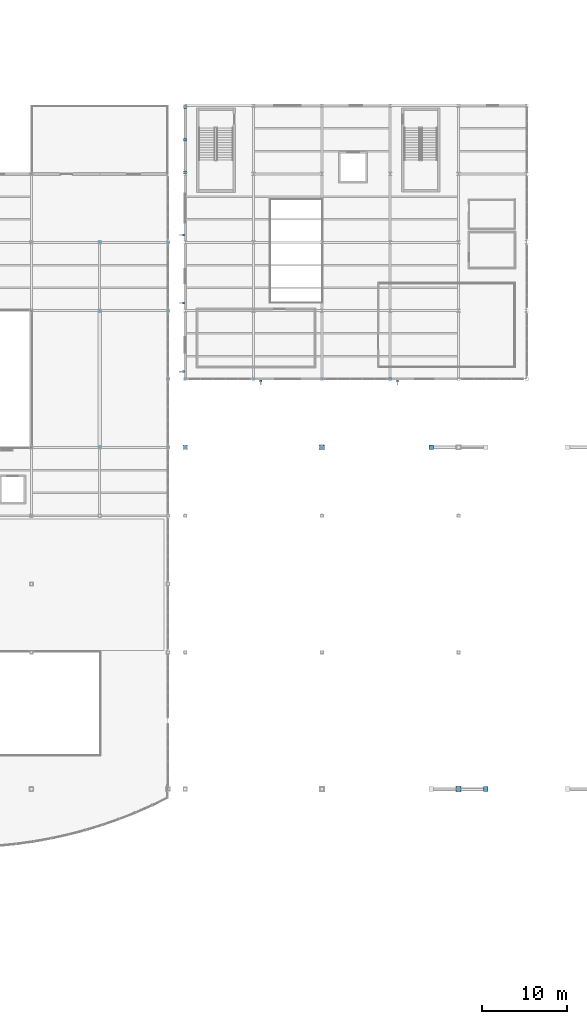
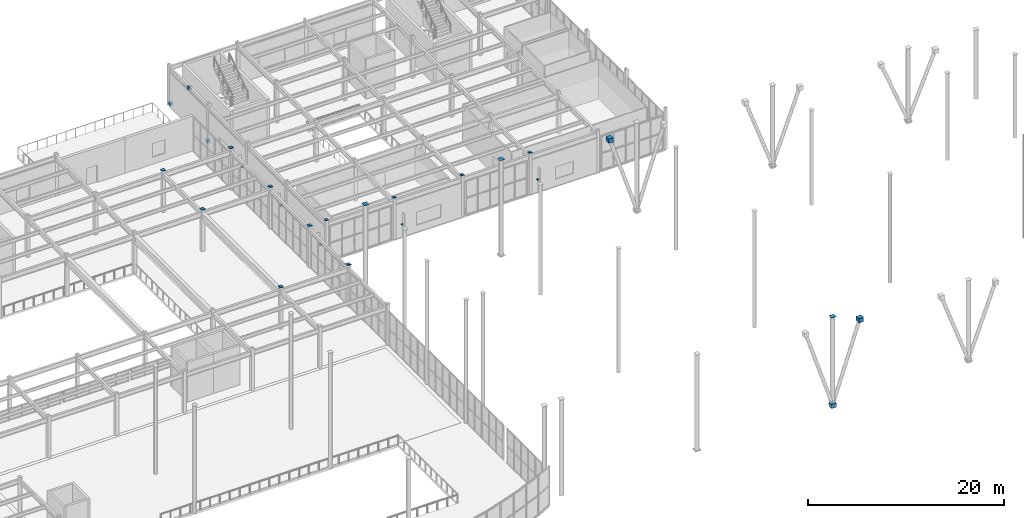
# One storey, part 65 of 77: 25 discrete accessories.
"""IFC4 building model written with IfcOpenShell, lengths in metres."""

from ifc_helpers import new_model, si_unit, direction, frame, origin, origin_2d, place, context, subcontext, project, spatial, rectangle, extrude, material, type_object, element, save


model = new_model("IFC4")

# Units and contexts
model_context = context("Model", 3, precision=1e-05, world=origin(), true_north=direction((0.0, 1.0)))
body_context = subcontext(model_context, "Body", "Model", "MODEL_VIEW")
ifc_project = project(units=[si_unit("LENGTHUNIT", "METRE"), si_unit("AREAUNIT", "SQUARE_METRE"), si_unit("VOLUMEUNIT", "CUBIC_METRE"), si_unit("PLANEANGLEUNIT", "RADIAN"), si_unit("MASSUNIT", "GRAM", prefix="KILO")], contexts=[model_context])

# Site, building, storey
site_placement = place(None, origin())
site = spatial("IfcSite", under=ifc_project, at=site_placement, CompositionType="ELEMENT")
building_placement = place(site_placement, origin())
building = spatial("IfcBuilding", under=site, at=building_placement, Name="Drelvath Fold Interchange", CompositionType="ELEMENT")
storey_placement = place(building_placement, frame((0.0, 0.0, 6.0)))
storey = spatial("IfcBuildingStorey", under=building, at=storey_placement, Name="L01", CompositionType="ELEMENT", Elevation=6.0)

# Discrete accessories
ifc_material_1 = material(Name="Stainless Steel 316L", Category="steel")
discrete_accessory_type_1 = type_object("IfcDiscreteAccessoryType", Name="AC-BRK220", PredefinedType="BRACKET", material=ifc_material_1)
for number, where, z_axis, x_axis, name in (
    (1, (110.847900390625, 74.781982421875, 1.56982421875), (0.0, 0.0, 1.0), (0.0, 1.0, 0.0), "Solar fin bracket 10"),
    (2, (126.847900390625, 74.781982421875, 1.56982421875), (0.0, 0.0, 1.0), (0.0, 1.0, 0.0), "Solar fin bracket 11"),
    (3, (101.781982421875, 75.847900390625, 1.56982421875), (0.0, 0.0, 1.0), (1.0, 0.0, 0.0), "Solar fin bracket 12"),
    (4, (101.781982421875, 83.8740234375, 1.56982421875), (0.0, 0.0, 1.0), (1.0, 0.0, 0.0), "Solar fin bracket 13"),
    (5, (101.781982421875, 91.8740234375, 1.56982421875), (0.0, 0.0, 1.0), (1.0, 0.0, 0.0), "Solar fin bracket 14"),
):
    element("IfcDiscreteAccessory", number, at=place(storey_placement, frame(where, z_axis=z_axis, x_axis=x_axis)), inside=storey, type_object=discrete_accessory_type_1, Name=name, PredefinedType="BRACKET", context=body_context, shape_type="SweptSolid", body=[
        extrude(rectangle(XDim=0.239990234375, YDim=0.239990234375, at=origin_2d()), origin(), (0.0, 0.0, 1.0), 0.159912109375),
    ])
ifc_material_2 = material(Name="Steel ASTM A572 Grade 50", Category="steel")
discrete_accessory_type_2 = type_object("IfcDiscreteAccessoryType", Name="AC-CAP380", PredefinedType="BRACKET", material=ifc_material_2)
for number, where, z_axis, x_axis, name in (
    (6, (92.0, 67.0, 5.18994140625), (0.0, 0.0, 1.0), (1.0, 0.0, 0.0), "Welded hollow column end cap 24"),
    (7, (92.0, 83.0, 5.18994140625), (0.0, 0.0, 1.0), (1.0, 0.0, 0.0), "Welded hollow column end cap 25"),
    (8, (92.0, 91.0, 5.18994140625), (0.0, 0.0, 1.0), (1.0, 0.0, 0.0), "Welded hollow column end cap 26"),
    (9, (100.0, 67.0, 5.18994140625), (0.0, 0.0, 1.0), (1.0, 0.0, 0.0), "Welded hollow column end cap 31"),
    (10, (100.0, 75.0, 5.18994140625), (0.0, 0.0, 1.0), (1.0, 0.0, 0.0), "Welded hollow column end cap 32"),
    (11, (100.0, 83.0, 5.18994140625), (0.0, 0.0, 1.0), (1.0, 0.0, 0.0), "Welded hollow column end cap 33"),
    (12, (100.0, 91.0, 5.18994140625), (0.0, 0.0, 1.0), (1.0, 0.0, 0.0), "Welded hollow column end cap 34"),
):
    element("IfcDiscreteAccessory", number, at=place(storey_placement, frame(where, z_axis=z_axis, x_axis=x_axis)), inside=storey, type_object=discrete_accessory_type_2, Name=name, PredefinedType="BRACKET", context=body_context, shape_type="SweptSolid", body=[
        extrude(rectangle(XDim=0.39599609375, YDim=0.39599609375, at=origin_2d()), origin(), (0.0, 0.0, 1.0), 0.030029296875),
    ])
discrete_accessory_1_placement = place(storey_placement, frame((102.0, 67.0, 11.9990234375), z_axis=(0.0, 0.0, 1.0), x_axis=(1.0, 0.0, 0.0)))
element("IfcDiscreteAccessory", 13, at=discrete_accessory_1_placement, inside=storey, type_object=discrete_accessory_type_2, Name="Welded hollow column end cap 95", PredefinedType="BRACKET", context=body_context, shape_type="SweptSolid", body=[
    extrude(rectangle(XDim=0.548095703125, YDim=0.548095703125, at=origin_2d()), origin(), (0.0, 0.0, 1.0), 0.030029296875),
])
for number, where, z_axis, x_axis, name in (
    (14, (102.0, 75.0, 5.18994140625), (0.0, 0.0, 1.0), (1.0, 0.0, 0.0), "Welded hollow column end cap 96"),
    (15, (110.0, 75.0, 5.18994140625), (0.0, 0.0, 1.0), (1.0, 0.0, 0.0), "Welded hollow column end cap 97"),
):
    element("IfcDiscreteAccessory", number, at=place(storey_placement, frame(where, z_axis=z_axis, x_axis=x_axis)), inside=storey, type_object=discrete_accessory_type_2, Name=name, PredefinedType="BRACKET", context=body_context, shape_type="SweptSolid", body=[
        extrude(rectangle(XDim=0.344970703125, YDim=0.344970703125, at=origin_2d()), origin(), (0.0, 0.0, 1.0), 0.030029296875),
    ])
discrete_accessory_2_placement = place(storey_placement, frame((118.0, 67.0, 11.9990234375), z_axis=(0.0, 0.0, 1.0), x_axis=(1.0, 0.0, 0.0)))
element("IfcDiscreteAccessory", 16, at=discrete_accessory_2_placement, inside=storey, type_object=discrete_accessory_type_2, Name="Welded hollow column end cap 101", PredefinedType="BRACKET", context=body_context, shape_type="SweptSolid", body=[
    extrude(rectangle(XDim=0.548095703125, YDim=0.548095703125, at=origin_2d()), origin(), (0.0, 0.0, 1.0), 0.030029296875),
])
for number, where, z_axis, x_axis, name in (
    (17, (118.0, 75.0, 5.18994140625), (0.0, 0.0, 1.0), (1.0, 0.0, 0.0), "Welded hollow column end cap 102"),
    (18, (126.0, 75.0, 5.18994140625), (0.0, 0.0, 1.0), (1.0, 0.0, 0.0), "Welded hollow column end cap 103"),
):
    element("IfcDiscreteAccessory", number, at=place(storey_placement, frame(where, z_axis=z_axis, x_axis=x_axis)), inside=storey, type_object=discrete_accessory_type_2, Name=name, PredefinedType="BRACKET", context=body_context, shape_type="SweptSolid", body=[
        extrude(rectangle(XDim=0.344970703125, YDim=0.344970703125, at=origin_2d()), origin(), (0.0, 0.0, 1.0), 0.030029296875),
    ])
discrete_accessory_3_placement = place(storey_placement, frame((134.0, 27.0, 11.037109375), z_axis=(0.0, 0.0, 1.0), x_axis=(1.0, 0.0, 0.0)))
element("IfcDiscreteAccessory", 19, at=discrete_accessory_3_placement, inside=storey, type_object=discrete_accessory_type_2, Name="Welded hollow column end cap 104", PredefinedType="BRACKET", context=body_context, shape_type="SweptSolid", body=[
    extrude(rectangle(XDim=0.548095703125, YDim=0.548095703125, at=origin_2d()), origin(), (0.0, 0.0, 1.0), 0.030029296875),
])
for number, where, z_axis, x_axis, name in (
    (20, (102.0, 99.18310546875, 0.1943359375), (0.0, 0.0, 1.0), (1.0, 0.0, 0.0), "Welded hollow member end cap 557"),
    (21, (102.0, 103.0029296875, 4.513671875), (0.0, 0.0, 1.0), (1.0, 0.0, 0.0), "Welded hollow member end cap 558"),
    (22, (102.0, 106.81689453125, 0.1943359375), (0.0, 0.0, 1.0), (1.0, 0.0, 0.0), "Welded hollow member end cap 559"),
):
    element("IfcDiscreteAccessory", number, at=place(storey_placement, frame(where, z_axis=z_axis, x_axis=x_axis)), inside=storey, type_object=discrete_accessory_type_2, Name=name, PredefinedType="BRACKET", context=body_context, shape_type="SweptSolid", body=[
        extrude(rectangle(XDim=0.343017578125, YDim=0.343017578125, at=origin_2d()), origin(), (0.0, 0.0, 1.0), 0.343017578125),
    ])
for number, where, z_axis, x_axis, name in (
    (23, (134.001953125, 27.0, -0.22802734375), (0.0, 0.0, 1.0), (1.0, 0.0, 0.0), "Welded hollow member end cap 566"),
    (24, (137.201904296875, 27.0, 9.31396484375), (0.0, 0.0, 1.0), (1.0, 0.0, 0.0), "Welded hollow member end cap 568"),
    (25, (130.798095703125, 67.0, 9.698974609375), (0.0, 0.0, 1.0), (1.0, 0.0, 0.0), "Welded hollow member end cap 570"),
):
    element("IfcDiscreteAccessory", number, at=place(storey_placement, frame(where, z_axis=z_axis, x_axis=x_axis)), inside=storey, type_object=discrete_accessory_type_2, Name=name, PredefinedType="BRACKET", context=body_context, shape_type="SweptSolid", body=[
        extrude(rectangle(XDim=0.5458984375, YDim=0.5458984375, at=origin_2d()), origin(), (0.0, 0.0, 1.0), 0.5458984375),
    ])

save(model, "model.ifc")
